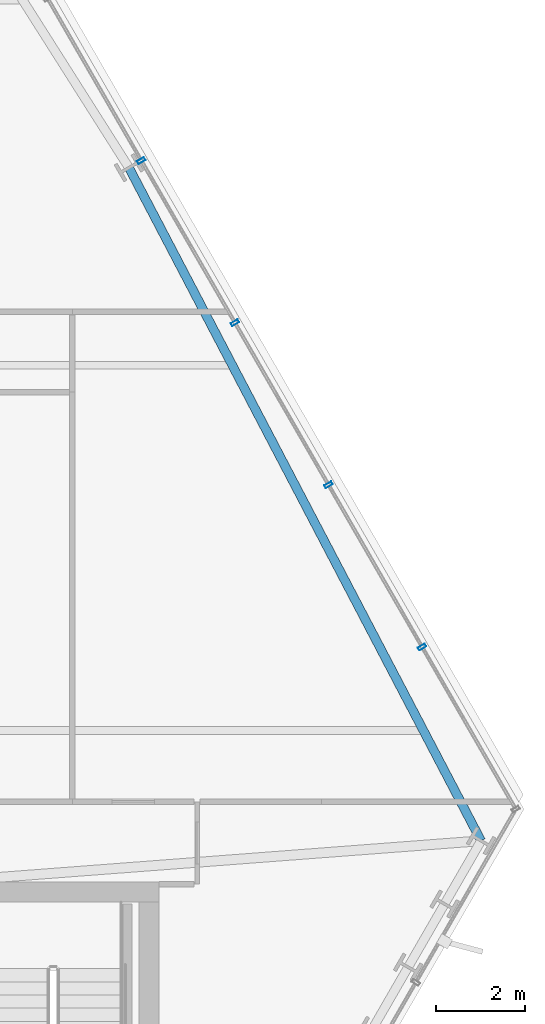
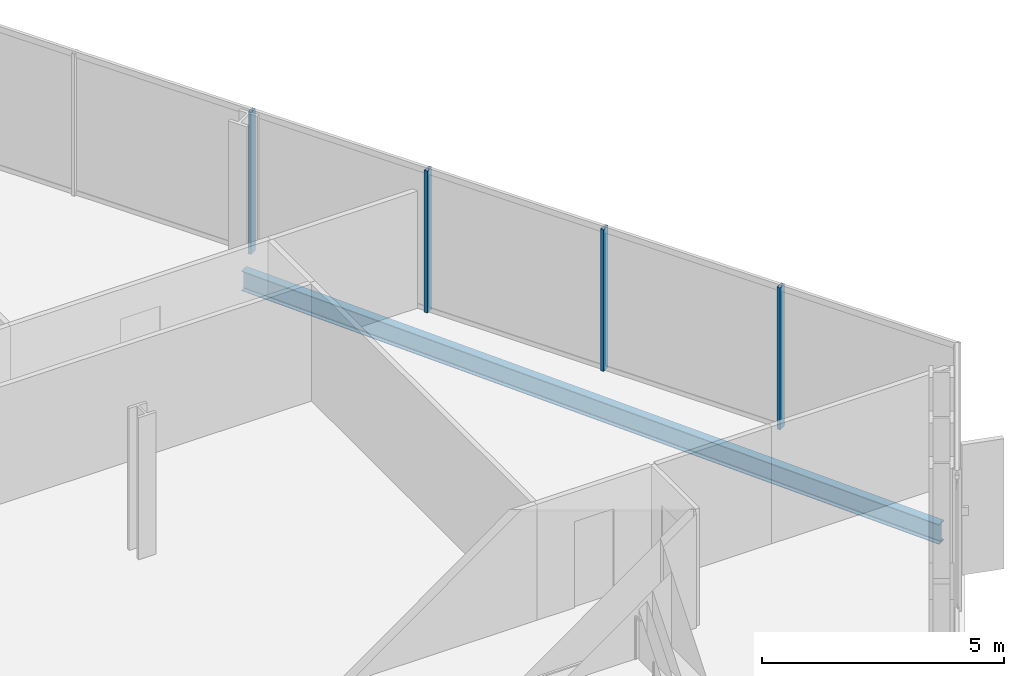
# One storey, part 17 of 31: 4 members, 1 beam, 1 element without a shape of its own.
"""IFC4 building model written with IfcOpenShell, lengths in metres."""

from ifc_helpers import new_model, si_unit, direction, frame, origin, origin_2d, place, context, subcontext, project, spatial, hollow_rectangle, i_section, extrude, material, layer, layer_set, material_profile, profile_set, type_object, element, aggregate, save


model = new_model("IFC4")

# Units and contexts
model_context = context("Model", 3, precision=1e-05, world=origin(), true_north=direction((0.0, 1.0)))
body_context = subcontext(model_context, "Body", "Model", "MODEL_VIEW")
ifc_project = project(units=[si_unit("LENGTHUNIT", "METRE"), si_unit("AREAUNIT", "SQUARE_METRE"), si_unit("VOLUMEUNIT", "CUBIC_METRE"), si_unit("PLANEANGLEUNIT", "RADIAN"), si_unit("MASSUNIT", "GRAM", prefix="KILO")], contexts=[model_context])

# Site, building, storey
site_placement = place(None, origin())
site = spatial("IfcSite", under=ifc_project, at=site_placement, CompositionType="ELEMENT")
building_placement = place(site_placement, origin())
building = spatial("IfcBuilding", under=site, at=building_placement, Name="Ndaravel Arena Tower", CompositionType="ELEMENT")
storey_placement = place(building_placement, frame((0.0, 0.0, 100.60009765625)))
storey = spatial("IfcBuildingStorey", under=building, at=storey_placement, Name="L23", CompositionType="ELEMENT", Elevation=100.60009765625)

# Beam
ifc_material_1 = material(Name="Steel S355", Category="steel")
ifc_material_profile_1 = material_profile(ifc_material_1, i_section(OverallWidth=0.199951171875, OverallDepth=0.5, WebThickness=0.01025390625, FlangeThickness=0.01611328125, FilletRadius=0.02099609375, at=origin_2d()), Name="IPE 500")
ifc_profile_set_1 = profile_set([ifc_material_profile_1], Name="Steel S355")
beam_type = type_object("IfcBeamType", Name="BM-SPAN-IPE500", PredefinedType="SPANDREL", material=ifc_profile_set_1)
beam_placement = place(storey_placement, frame((64.778076171875, 16.123291015625, -0.47021484375), z_axis=(-0.463540575518, 0.886075693634, 0.0), x_axis=(-0.886075693634, -0.463540575518, 0.0)))
element("IfcBeam", 1, at=beam_placement, inside=storey, type_object=beam_type, Name="L23 Perimeter Spandrel Beam SP-09", PredefinedType="SPANDREL", context=body_context, shape_type="SweptSolid", body=[
    extrude(i_section(OverallWidth=0.199951171875, OverallDepth=0.5, WebThickness=0.01025390625, FlangeThickness=0.01611328125, FilletRadius=0.02099609375, at=origin_2d()), origin(), (0.0, 0.0, 1.0), 17.057861328125),
])

# Curtain wall, members
ifc_material_2 = material(Name="Aluminium", Category="aluminium")
ifc_layer = layer(ifc_material_2, 0.179931640625)
ifc_layer_set = layer_set([ifc_layer], Name="Aluminium")
curtain_wall_type = type_object("IfcCurtainWallType", Name="CW-SYS-03", PredefinedType="NOTDEFINED", material=ifc_layer_set)
curtain_wall_placement = place(storey_placement, origin())
curtain_wall = element("IfcCurtainWall", 2, at=curtain_wall_placement, inside=storey, type_object=curtain_wall_type, Name="L23 Faceted Crystal Curtain Wall CW-L23-E03", PredefinedType="NOTDEFINED")
ifc_material_3 = material(Name="Aluminium", Category="aluminium")
ifc_material_profile_2 = material_profile(ifc_material_3, hollow_rectangle(XDim=0.074951171875, YDim=0.179931640625, WallThickness=0.00390625, at=origin_2d()), Name="CW MULLION 75x180x4")
ifc_profile_set_2 = profile_set([ifc_material_profile_2], Name="Aluminium")
member_type = type_object("IfcMemberType", Name="MEM-CW-MUL180", PredefinedType="MULLION", material=ifc_profile_set_2)
member_1_placement = place(storey_placement, frame((63.455078125, 20.47412109375, 0.0), z_axis=(0.0, 0.0, 1.0), x_axis=(-0.5, 0.866025403784, 0.0)))
member_1 = element("IfcMember", 3, at=member_1_placement, type_object=member_type, Name="CW-L23-E03 Mullion 01", PredefinedType="MULLION", context=body_context, shape_type="SweptSolid", body=[
    extrude(hollow_rectangle(XDim=0.074951171875, YDim=0.179931640625, WallThickness=0.00390625, at=origin_2d()), origin(), (0.0, 0.0, 1.0), 3.579833984375),
])
member_2_placement = place(storey_placement, frame((61.352783203125, 24.115234375, 0.0), z_axis=(0.0, 0.0, 1.0), x_axis=(-0.5, 0.866025403784, 0.0)))
member_2 = element("IfcMember", 4, at=member_2_placement, type_object=member_type, Name="CW-L23-E03 Mullion 02", PredefinedType="MULLION", context=body_context, shape_type="SweptSolid", body=[
    extrude(hollow_rectangle(XDim=0.074951171875, YDim=0.179931640625, WallThickness=0.00390625, at=origin_2d()), origin(), (0.0, 0.0, 1.0), 3.579833984375),
])
member_3_placement = place(storey_placement, frame((59.25048828125, 27.756591796875, 0.0), z_axis=(0.0, 0.0, 1.0), x_axis=(-0.5, 0.866025403784, 0.0)))
member_3 = element("IfcMember", 5, at=member_3_placement, type_object=member_type, Name="CW-L23-E03 Mullion 03", PredefinedType="MULLION", context=body_context, shape_type="SweptSolid", body=[
    extrude(hollow_rectangle(XDim=0.074951171875, YDim=0.179931640625, WallThickness=0.00390625, at=origin_2d()), origin(), (0.0, 0.0, 1.0), 3.579833984375),
])
member_4_placement = place(storey_placement, frame((57.148193359375, 31.397705078125, 0.0), z_axis=(0.0, 0.0, 1.0), x_axis=(-0.5, 0.866025403784, 0.0)))
member_4 = element("IfcMember", 6, at=member_4_placement, type_object=member_type, Name="CW-L23-E03 Mullion 04", PredefinedType="MULLION", context=body_context, shape_type="SweptSolid", body=[
    extrude(hollow_rectangle(XDim=0.074951171875, YDim=0.179931640625, WallThickness=0.00390625, at=origin_2d()), origin(), (0.0, 0.0, 1.0), 3.579833984375),
])
aggregate(curtain_wall, [member_1, member_2, member_3, member_4])

save(model, "model.ifc")
